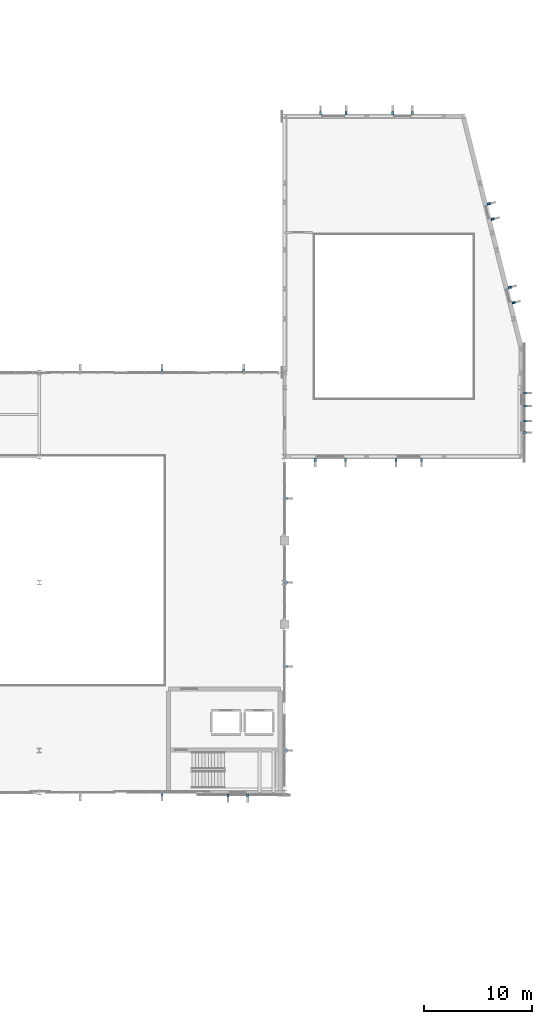
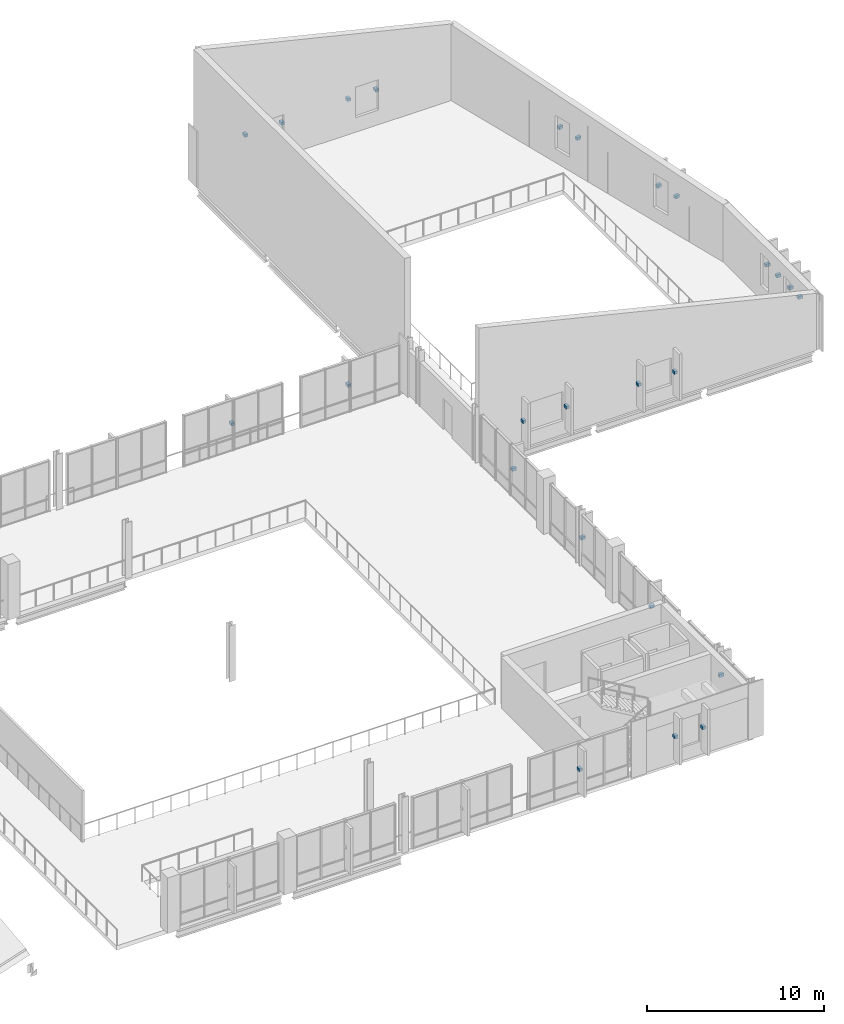
# One storey, part 52 of 64: 25 discrete accessories.
"""IFC4 building model written with IfcOpenShell, lengths in metres."""

from ifc_helpers import new_model, si_unit, direction, frame, origin, origin_2d, place, context, subcontext, project, spatial, rectangle, extrude, material, type_object, element, save


model = new_model("IFC4")

# Units and contexts
model_context = context("Model", 3, precision=1e-05, world=origin(), true_north=direction((0.0, 1.0)))
body_context = subcontext(model_context, "Body", "Model", "MODEL_VIEW")
ifc_project = project(units=[si_unit("LENGTHUNIT", "METRE"), si_unit("AREAUNIT", "SQUARE_METRE"), si_unit("VOLUMEUNIT", "CUBIC_METRE"), si_unit("PLANEANGLEUNIT", "RADIAN"), si_unit("MASSUNIT", "GRAM", prefix="KILO")], contexts=[model_context])

# Site, building, storey
site_placement = place(None, origin())
site = spatial("IfcSite", under=ifc_project, at=site_placement, CompositionType="ELEMENT")
building_placement = place(site_placement, origin())
building = spatial("IfcBuilding", under=site, at=building_placement, Name="Vervanel Yard Central Library", CompositionType="ELEMENT")
storey_placement = place(building_placement, frame((0.0, 0.0, 8.93994140625)))
storey = spatial("IfcBuildingStorey", under=building, at=storey_placement, Name="L02", CompositionType="ELEMENT", Elevation=8.93994140625)

# Discrete accessories
ifc_material = material(Name="Steel ASTM A572 Grade 50", Category="steel")
discrete_accessory_type = type_object("IfcDiscreteAccessoryType", Name="Stainless Solar Fin Fixing Bracket", PredefinedType="BRACKET", material=ifc_material)
for number, where, z_axis, x_axis, name in (
    (1, (134.60009765625, 43.070068359375, 1.6552734375), (0.0, 0.0, 1.0), (1.0, 0.0, 0.0), "L02 Solar Fin Bracket 458"),
    (2, (140.739990234375, 42.909912109375, 1.85009765625), (0.0, 0.0, 1.0), (1.0, 0.0, 0.0), "L02 Solar Fin Bracket 459"),
    (3, (142.56005859375, 42.909912109375, 1.85009765625), (0.0, 0.0, 1.0), (1.0, 0.0, 0.0), "L02 Solar Fin Bracket 460"),
    (4, (134.60009765625, 82.330078125, 1.6552734375), (0.0, 0.0, 1.0), (1.0, 0.0, 0.0), "L02 Solar Fin Bracket 475"),
    (5, (142.199951171875, 82.330078125, 1.6552734375), (0.0, 0.0, 1.0), (1.0, 0.0, 0.0), "L02 Solar Fin Bracket 476"),
    (6, (146.1298828125, 47.10009765625, 1.6552734375), (0.0, 0.0, 1.0), (0.0, 1.0, 0.0), "L02 Solar Fin Bracket 491"),
    (7, (146.1298828125, 54.89990234375, 1.6552734375), (0.0, 0.0, 1.0), (0.0, 1.0, 0.0), "L02 Solar Fin Bracket 492"),
    (8, (146.1298828125, 62.699951171875, 1.6552734375), (0.0, 0.0, 1.0), (0.0, 1.0, 0.0), "L02 Solar Fin Bracket 493"),
    (9, (146.1298828125, 70.5, 1.6552734375), (0.0, 0.0, 1.0), (0.0, 1.0, 0.0), "L02 Solar Fin Bracket 494"),
    (10, (148.840087890625, 74.070068359375, 1.85009765625), (0.0, 0.0, 1.0), (1.0, 0.0, 0.0), "L02 Solar Fin Bracket 533"),
    (11, (151.659912109375, 74.070068359375, 1.85009765625), (0.0, 0.0, 1.0), (1.0, 0.0, 0.0), "L02 Solar Fin Bracket 534"),
    (12, (156.340087890625, 74.070068359375, 1.77490234375), (0.0, 0.0, 1.0), (1.0, 0.0, 0.0), "L02 Solar Fin Bracket 535"),
    (13, (158.7099609375, 74.070068359375, 1.77490234375), (0.0, 0.0, 1.0), (1.0, 0.0, 0.0), "L02 Solar Fin Bracket 536"),
    (14, (168.330078125, 76.639892578125, 2.0), (0.0, 0.0, 1.0), (0.0, 1.0, 0.0), "L02 Solar Fin Bracket 537"),
    (15, (168.330078125, 77.7099609375, 2.0), (0.0, 0.0, 1.0), (0.0, 1.0, 0.0), "L02 Solar Fin Bracket 538"),
    (16, (168.330078125, 79.090087890625, 2.0), (0.0, 0.0, 1.0), (0.0, 1.0, 0.0), "L02 Solar Fin Bracket 539"),
    (17, (168.330078125, 80.31005859375, 2.0), (0.0, 0.0, 1.0), (0.0, 1.0, 0.0), "L02 Solar Fin Bracket 540"),
    (18, (167.267578125, 88.6904296875, 2.0), (0.0, 0.0, 1.0), (-0.242534889029, 0.970142684147, 0.0), "L02 Solar Fin Bracket 541"),
    (19, (166.910888671875, 90.11669921875, 2.0), (0.0, 0.0, 1.0), (-0.242534889029, 0.970142684147, 0.0), "L02 Solar Fin Bracket 542"),
    (20, (165.3271484375, 96.45166015625, 2.0), (0.0, 0.0, 1.0), (-0.242534889029, 0.970142684147, 0.0), "L02 Solar Fin Bracket 543"),
    (21, (164.970703125, 97.877685546875, 2.0), (0.0, 0.0, 1.0), (-0.242534889029, 0.970142684147, 0.0), "L02 Solar Fin Bracket 544"),
    (22, (149.340087890625, 106.330078125, 1.8251953125), (0.0, 0.0, 1.0), (1.0, 0.0, 0.0), "L02 Solar Fin Bracket 545"),
    (23, (151.7099609375, 106.330078125, 1.8251953125), (0.0, 0.0, 1.0), (1.0, 0.0, 0.0), "L02 Solar Fin Bracket 546"),
    (24, (156.0400390625, 106.330078125, 1.9501953125), (0.0, 0.0, 1.0), (1.0, 0.0, 0.0), "L02 Solar Fin Bracket 547"),
    (25, (157.860107421875, 106.330078125, 1.9501953125), (0.0, 0.0, 1.0), (1.0, 0.0, 0.0), "L02 Solar Fin Bracket 548"),
):
    element("IfcDiscreteAccessory", number, at=place(storey_placement, frame(where, z_axis=z_axis, x_axis=x_axis)), inside=storey, type_object=discrete_accessory_type, Name=name, PredefinedType="BRACKET", context=body_context, shape_type="SweptSolid", body=[
        extrude(rectangle(XDim=0.199951171875, YDim=0.280029296875, at=origin_2d()), origin(), (0.0, 0.0, 1.0), 0.199951171875),
    ])

save(model, "model.ifc")
